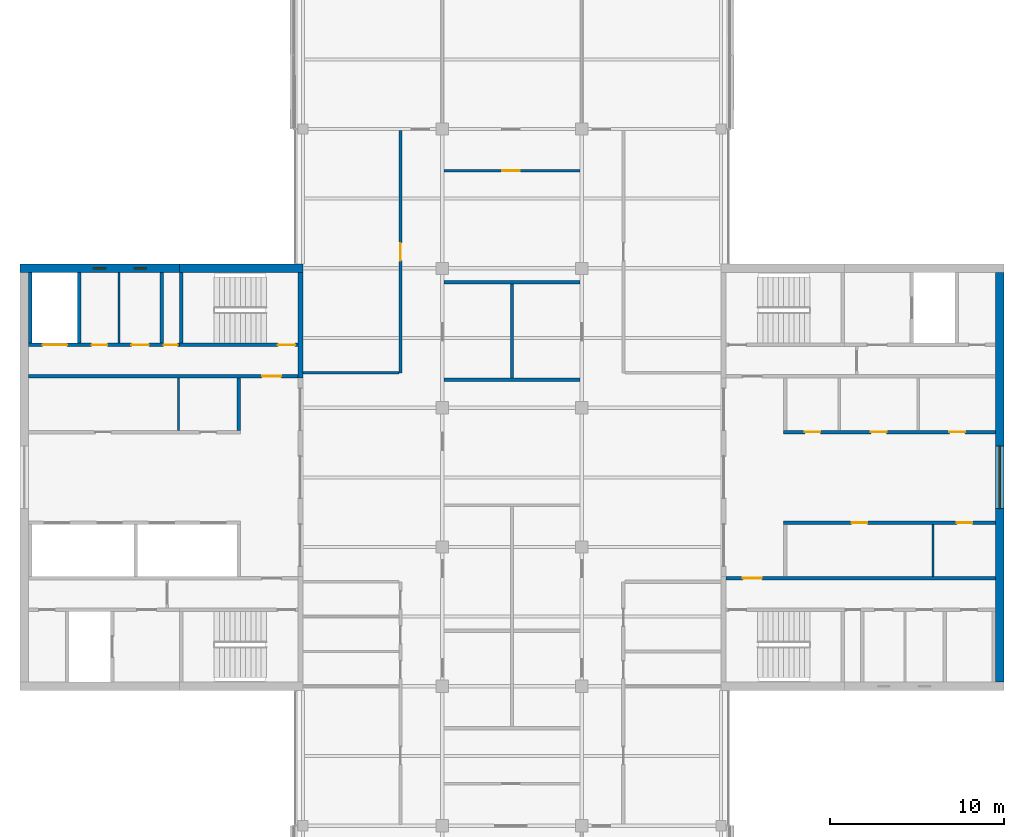
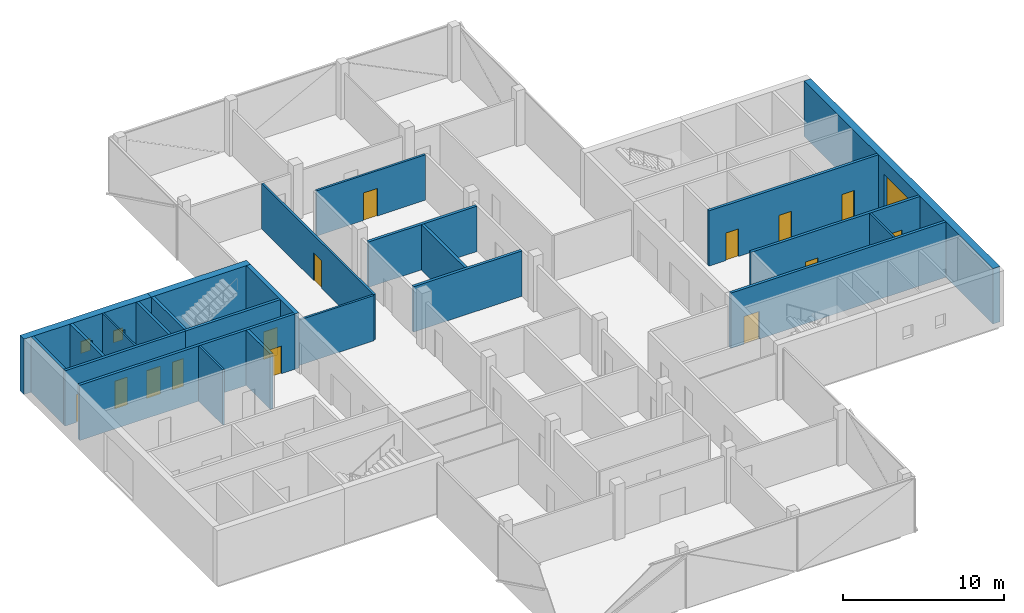
# One storey, part 11 of 16: 24 walls, 14 doors, 3 windows, 17 openings.
"""IFC4 building model written with IfcOpenShell, lengths in metres."""

from ifc_helpers import new_model, si_unit, direction, frame, frame_2d, origin, place, context, subcontext, project, spatial, rectangle, extrude, material, layer, layer_set, constituent, constituent_set, type_object, element, fill, save


model = new_model("IFC4")

# Units and contexts
model_context = context("Model", 3, precision=1e-05, world=origin(), true_north=direction((0.0, 1.0)))
body_context = subcontext(model_context, "Body", "Model", "MODEL_VIEW")
ifc_project = project(units=[si_unit("LENGTHUNIT", "METRE"), si_unit("AREAUNIT", "SQUARE_METRE"), si_unit("VOLUMEUNIT", "CUBIC_METRE"), si_unit("PLANEANGLEUNIT", "RADIAN"), si_unit("MASSUNIT", "GRAM", prefix="KILO")], contexts=[model_context])

# Site, building, storey
site_placement = place(None, origin())
site = spatial("IfcSite", under=ifc_project, at=site_placement, CompositionType="ELEMENT")
building_placement = place(site_placement, origin())
building = spatial("IfcBuilding", under=site, at=building_placement, Name="Crosswind Convention Tower", CompositionType="ELEMENT")
storey_placement = place(building_placement, frame((0.0, 0.0, 291.300048828125)))
storey = spatial("IfcBuildingStorey", under=building, at=storey_placement, Name="L63", CompositionType="ELEMENT", Elevation=291.300048828125)

# Walls
ifc_material_1 = material(Name="Concrete blockwork", Category="masonry")
ifc_layer_1 = layer(ifc_material_1, 0.199951171875)
ifc_layer_set_1 = layer_set([ifc_layer_1], Name="Blockwork partition wall 200")
wall_type_1 = type_object("IfcWallType", Name="Blockwork partition wall 200", PredefinedType="PARTITIONING", material=ifc_layer_set_1)
wall_1_placement = place(storey_placement, frame((104.89990234375, 111.75, 0.0), z_axis=(0.0, 0.0, 1.0), x_axis=(0.0, -1.0, 0.0)))
element("IfcWall", 1, at=wall_1_placement, inside=storey, type_object=wall_type_1, Name="Wall MRSE W L63", PredefinedType="PARTITIONING", context=body_context, shape_type="SweptSolid", body=[
    extrude(rectangle(XDim=4.050048828125, YDim=0.199951171875, at=frame_2d((2.02490234375, 0.0))), origin(), (0.0, 0.0, 1.0), 4.199951171875),
])
ifc_layer_2 = layer(ifc_material_1, 0.199951171875)
ifc_layer_set_2 = layer_set([ifc_layer_2], Name="COMPARTMENT WALL 200 BLOCKWORK")
wall_type_2 = type_object("IfcWallType", Name="COMPARTMENT WALL 200 BLOCKWORK", PredefinedType="SOLIDWALL", material=ifc_layer_set_2)
wall_2_placement = place(storey_placement, frame((125.0, 105.699951171875, 0.0), z_axis=(0.0, 0.0, 1.0), x_axis=(0.0, 1.0, 0.0)))
element("IfcWall", 2, at=wall_2_placement, inside=storey, type_object=wall_type_2, Name="Compartment wall WT42", PredefinedType="SOLIDWALL", context=body_context, shape_type="SweptSolid", body=[
    extrude(rectangle(XDim=5.400146484375, YDim=0.199951171875, at=frame_2d((2.7001953125, 0.0))), origin(), (0.0, 0.0, 1.0), 3.44287109375),
])
for number, where, z_axis, x_axis, name in (
    (3, (121.10009765625, 105.60009765625, 0.0), (0.0, 0.0, 1.0), (1.0, 0.0, 0.0), "Compartment wall WT42"),
    (4, (121.10009765625, 111.199951171875, 0.0), (0.0, 0.0, 1.0), (1.0, 0.0, 0.0), "Compartment wall WT42"),
):
    element("IfcWall", number, at=place(storey_placement, frame(where, z_axis=z_axis, x_axis=x_axis)), inside=storey, type_object=wall_type_2, Name=name, PredefinedType="SOLIDWALL", context=body_context, shape_type="SweptSolid", body=[
        extrude(rectangle(XDim=7.7998046875, YDim=0.199951171875, at=frame_2d((3.89990234375, 0.0))), origin(), (0.0, 0.0, 1.0), 3.44287109375),
    ])
ifc_material_2 = material(Name="Concrete C50/60", Category="concrete")
ifc_layer_3 = layer(ifc_material_2, 0.300048828125)
ifc_layer_set_3 = layer_set([ifc_layer_3], Name="Concrete C50/60")
wall_type_3 = type_object("IfcWallType", Name="Concrete inner core wall 300", PredefinedType="SHEAR", material=ifc_layer_set_3)
wall_3_placement = place(storey_placement, frame((112.85009765625, 111.75, 0.0), z_axis=(0.0, 0.0, 1.0), x_axis=(0.0, -1.0, 0.0)))
element("IfcWall", 5, at=wall_3_placement, inside=storey, type_object=wall_type_3, Name="Wall EM W L63", PredefinedType="SHEAR", context=body_context, shape_type="SweptSolid", body=[
    extrude(rectangle(XDim=6.050048828125, YDim=0.300048828125, at=frame_2d((3.02490234375, 0.0))), origin(), (0.0, 0.0, 1.0), 4.199951171875),
])

# Wall, openings, doors
ifc_layer_4 = layer(ifc_material_2, 0.199951171875)
ifc_layer_set_4 = layer_set([ifc_layer_4], Name="Concrete C50/60")
wall_type_4 = type_object("IfcWallType", Name="Concrete shaft and stair wall 200", PredefinedType="SHEAR", material=ifc_layer_set_4)
wall_4_placement = place(storey_placement, frame((140.60009765625, 102.60009765625, 0.0), z_axis=(0.0, 0.0, 1.0), x_axis=(1.0, 0.0, 0.0)))
wall_4 = element("IfcWall", 6, at=wall_4_placement, inside=storey, type_object=wall_type_4, Name="Wall RPFRONT E L63", PredefinedType="SHEAR", context=body_context, shape_type="SweptSolid", body=[
    extrude(rectangle(XDim=12.14990234375, YDim=0.199951171875, at=frame_2d((6.074951171875, 0.0))), origin(), (0.0, 0.0, 1.0), 4.199951171875),
])
opening_1_placement = place(wall_4_placement, frame((1.21240234375, 0.0, 0.0)))
opening_1 = element("IfcOpeningElement", 7, at=opening_1_placement, cuts=wall_4, Name="Opening D106", PredefinedType="OPENING", context=body_context, shape_type="SweptSolid", body=[
    extrude(rectangle(XDim=0.89990234375, YDim=2.10009765625, at=frame_2d((0.449951171875, 1.050048828125))), frame((0.0, 0.10986328125, 0.0), z_axis=(0.0, -1.0, 0.0), x_axis=(1.0, 0.0, 0.0)), (0.0, 0.0, 1.0), 0.219970703125),
])
opening_2_placement = place(wall_4_placement, frame((5.008056640625, 0.0, 0.0)))
opening_2 = element("IfcOpeningElement", 8, at=opening_2_placement, cuts=wall_4, Name="Opening D106", PredefinedType="OPENING", context=body_context, shape_type="SweptSolid", body=[
    extrude(rectangle(XDim=0.89990234375, YDim=2.10009765625, at=frame_2d((0.449951171875, 1.050048828125))), frame((0.0, 0.10986328125, 0.0), z_axis=(0.0, -1.0, 0.0), x_axis=(1.0, 0.0, 0.0)), (0.0, 0.0, 1.0), 0.219970703125),
])
opening_3_placement = place(wall_4_placement, frame((9.5205078125, 0.0, 0.0)))
opening_3 = element("IfcOpeningElement", 9, at=opening_3_placement, cuts=wall_4, Name="Opening D106", PredefinedType="OPENING", context=body_context, shape_type="SweptSolid", body=[
    extrude(rectangle(XDim=0.89990234375, YDim=2.10009765625, at=frame_2d((0.449951171875, 1.050048828125))), frame((0.0, 0.10986328125, 0.0), z_axis=(0.0, -1.0, 0.0), x_axis=(1.0, 0.0, 0.0)), (0.0, 0.0, 1.0), 0.219970703125),
])
ifc_material_3 = material(Name="Timber door", Category="wood")
door_type_1 = type_object("IfcDoorType", Name="Single leaf door 900x2100", OperationType="NOTDEFINED", PredefinedType="DOOR", material=ifc_material_3)
door_1_placement = place(opening_1_placement, origin())
door_1 = element("IfcDoor", 10, at=door_1_placement, inside=storey, type_object=door_type_1, Name="Door to meeting room L63", ObjectType="D106", OperationType="SINGLE_SWING_RIGHT", OverallHeight=2.10009765625, OverallWidth=0.89990234375, PredefinedType="DOOR", context=body_context, shape_type="SweptSolid", body=[
    extrude(rectangle(XDim=0.89990234375, YDim=2.10009765625, at=frame_2d((0.449951171875, 1.050048828125))), frame((0.0, 0.02490234375, 0.0), z_axis=(0.0, -1.0, 0.0), x_axis=(1.0, 0.0, 0.0)), (0.0, 0.0, 1.0), 0.050048828125),
])
fill(opening_1, door_1)
door_2_placement = place(opening_2_placement, origin())
door_2 = element("IfcDoor", 11, at=door_2_placement, inside=storey, type_object=door_type_1, Name="Door to pantry L63", ObjectType="D106", OperationType="SINGLE_SWING_RIGHT", OverallHeight=2.10009765625, OverallWidth=0.89990234375, PredefinedType="DOOR", context=body_context, shape_type="SweptSolid", body=[
    extrude(rectangle(XDim=0.89990234375, YDim=2.10009765625, at=frame_2d((0.449951171875, 1.050048828125))), frame((0.0, 0.02490234375, 0.0), z_axis=(0.0, -1.0, 0.0), x_axis=(1.0, 0.0, 0.0)), (0.0, 0.0, 1.0), 0.050048828125),
])
fill(opening_2, door_2)
door_3_placement = place(opening_3_placement, origin())
door_3 = element("IfcDoor", 12, at=door_3_placement, inside=storey, type_object=door_type_1, Name="Door to telecoms room L63", ObjectType="D106", OperationType="SINGLE_SWING_RIGHT", OverallHeight=2.10009765625, OverallWidth=0.89990234375, PredefinedType="DOOR", context=body_context, shape_type="SweptSolid", body=[
    extrude(rectangle(XDim=0.89990234375, YDim=2.10009765625, at=frame_2d((0.449951171875, 1.050048828125))), frame((0.0, 0.02490234375, 0.0), z_axis=(0.0, -1.0, 0.0), x_axis=(1.0, 0.0, 0.0)), (0.0, 0.0, 1.0), 0.050048828125),
])
fill(opening_3, door_3)

wall_5_placement = place(storey_placement, frame((140.60009765625, 97.39990234375, 0.0), z_axis=(0.0, 0.0, 1.0), x_axis=(1.0, 0.0, 0.0)))
wall_5 = element("IfcWall", 13, at=wall_5_placement, inside=storey, type_object=wall_type_4, Name="Wall RMFRONT E L63", PredefinedType="SHEAR", context=body_context, shape_type="SweptSolid", body=[
    extrude(rectangle(XDim=12.14990234375, YDim=0.199951171875, at=frame_2d((6.074951171875, 0.0))), origin(), (0.0, 0.0, 1.0), 4.199951171875),
])
opening_4_placement = place(wall_5_placement, frame((3.9013671875, 0.0, 0.0)))
opening_4 = element("IfcOpeningElement", 14, at=opening_4_placement, cuts=wall_5, Name="Opening D106", PredefinedType="OPENING", context=body_context, shape_type="SweptSolid", body=[
    extrude(rectangle(XDim=0.89990234375, YDim=2.10009765625, at=frame_2d((0.449951171875, 1.050048828125))), frame((0.0, 0.10986328125, 0.0), z_axis=(0.0, -1.0, 0.0), x_axis=(1.0, 0.0, 0.0)), (0.0, 0.0, 1.0), 0.219970703125),
])
opening_5_placement = place(wall_5_placement, frame((9.938720703125, 0.0, 0.0)))
opening_5 = element("IfcOpeningElement", 15, at=opening_5_placement, cuts=wall_5, Name="Opening D106", PredefinedType="OPENING", context=body_context, shape_type="SweptSolid", body=[
    extrude(rectangle(XDim=0.89990234375, YDim=2.10009765625, at=frame_2d((0.449951171875, 1.050048828125))), frame((0.0, 0.10986328125, 0.0), z_axis=(0.0, -1.0, 0.0), x_axis=(1.0, 0.0, 0.0)), (0.0, 0.0, 1.0), 0.219970703125),
])
door_4_placement = place(opening_4_placement, frame((0.89990234375, 0.0, 0.0), z_axis=(0.0, 0.0, 1.0), x_axis=(-1.0, 0.0, 0.0)))
door_4 = element("IfcDoor", 16, at=door_4_placement, inside=storey, type_object=door_type_1, Name="Door to pantry L63", ObjectType="D106", OperationType="SINGLE_SWING_LEFT", OverallHeight=2.10009765625, OverallWidth=0.89990234375, PredefinedType="DOOR", context=body_context, shape_type="SweptSolid", body=[
    extrude(rectangle(XDim=0.89990234375, YDim=2.10009765625, at=frame_2d((0.449951171875, 1.050048828125))), frame((0.0, 0.02490234375, 0.0), z_axis=(0.0, -1.0, 0.0), x_axis=(1.0, 0.0, 0.0)), (0.0, 0.0, 1.0), 0.050048828125),
])
fill(opening_4, door_4)
door_5_placement = place(opening_5_placement, frame((0.89990234375, 0.0, 0.0), z_axis=(0.0, 0.0, 1.0), x_axis=(-1.0, 0.0, 0.0)))
door_5 = element("IfcDoor", 17, at=door_5_placement, inside=storey, type_object=door_type_1, Name="Door to telecoms room L63", ObjectType="D106", OperationType="SINGLE_SWING_LEFT", OverallHeight=2.10009765625, OverallWidth=0.89990234375, PredefinedType="DOOR", context=body_context, shape_type="SweptSolid", body=[
    extrude(rectangle(XDim=0.89990234375, YDim=2.10009765625, at=frame_2d((0.449951171875, 1.050048828125))), frame((0.0, 0.02490234375, 0.0), z_axis=(0.0, -1.0, 0.0), x_axis=(1.0, 0.0, 0.0)), (0.0, 0.0, 1.0), 0.050048828125),
])
fill(opening_5, door_5)

# Wall, opening, door
wall_6_placement = place(storey_placement, frame((137.300048828125, 94.199951171875, 0.0), z_axis=(0.0, 0.0, 1.0), x_axis=(1.0, 0.0, 0.0)))
wall_6 = element("IfcWall", 18, at=wall_6_placement, inside=storey, type_object=wall_type_4, Name="Wall HM E L63", PredefinedType="SHEAR", context=body_context, shape_type="SweptSolid", body=[
    extrude(rectangle(XDim=15.449951171875, YDim=0.199951171875, at=frame_2d((7.72509765625, 0.0))), origin(), (0.0, 0.0, 1.0), 4.199951171875),
])
opening_6_placement = place(wall_6_placement, frame((0.949951171875, 0.0, 0.0)))
opening_6 = element("IfcOpeningElement", 19, at=opening_6_placement, cuts=wall_6, Name="Opening D104", PredefinedType="OPENING", context=body_context, shape_type="SweptSolid", body=[
    extrude(rectangle(XDim=1.10009765625, YDim=2.10009765625, at=frame_2d((0.550048828125, 1.050048828125))), frame((0.0, 0.10986328125, 0.0), z_axis=(0.0, -1.0, 0.0), x_axis=(1.0, 0.0, 0.0)), (0.0, 0.0, 1.0), 0.219970703125),
])
ifc_material_4 = material(Name="Steel fire door", Category="steel")
door_type_2 = type_object("IfcDoorType", Name="Fire-rated single door 1100x2100", OperationType="NOTDEFINED", PredefinedType="DOOR", material=ifc_material_4)
door_6_placement = place(opening_6_placement, origin())
door_6 = element("IfcDoor", 20, at=door_6_placement, inside=storey, type_object=door_type_2, Name="Corridor door L63", ObjectType="D104", OperationType="SINGLE_SWING_LEFT", OverallHeight=2.10009765625, OverallWidth=1.10009765625, PredefinedType="DOOR", context=body_context, shape_type="SweptSolid", body=[
    extrude(rectangle(XDim=1.10009765625, YDim=2.10009765625, at=frame_2d((0.550048828125, 1.050048828125))), frame((0.0, 0.02490234375, 0.0), z_axis=(0.0, -1.0, 0.0), x_axis=(1.0, 0.0, 0.0)), (0.0, 0.0, 1.0), 0.050048828125),
])
fill(opening_6, door_6)

# Wall
wall_7_placement = place(storey_placement, frame((109.300048828125, 105.699951171875, 0.0), z_axis=(0.0, 0.0, 1.0), x_axis=(0.0, -1.0, 0.0)))
element("IfcWall", 21, at=wall_7_placement, inside=storey, type_object=wall_type_4, Name="Wall RMEND W L63", PredefinedType="SHEAR", context=body_context, shape_type="SweptSolid", body=[
    extrude(rectangle(XDim=3.0, YDim=0.199951171875, at=frame_2d((1.5, 0.0))), origin(), (0.0, 0.0, 1.0), 4.199951171875),
])

# Wall, opening, door
wall_8_placement = place(storey_placement, frame((112.699951171875, 105.800048828125, 0.0), z_axis=(0.0, 0.0, 1.0), x_axis=(-1.0, 0.0, 0.0)))
wall_8 = element("IfcWall", 22, at=wall_8_placement, inside=storey, type_object=wall_type_4, Name="Wall HM W L63", PredefinedType="SHEAR", context=body_context, shape_type="SweptSolid", body=[
    extrude(rectangle(XDim=15.449951171875, YDim=0.199951171875, at=frame_2d((7.72509765625, 0.0))), origin(), (0.0, 0.0, 1.0), 4.199951171875),
])
opening_7_placement = place(wall_8_placement, frame((0.949951171875, 0.0, 0.0)))
opening_7 = element("IfcOpeningElement", 23, at=opening_7_placement, cuts=wall_8, Name="Opening D104", PredefinedType="OPENING", context=body_context, shape_type="SweptSolid", body=[
    extrude(rectangle(XDim=1.10009765625, YDim=2.10009765625, at=frame_2d((0.550048828125, 1.050048828125))), frame((0.0, 0.10986328125, 0.0), z_axis=(0.0, -1.0, 0.0), x_axis=(1.0, 0.0, 0.0)), (0.0, 0.0, 1.0), 0.219970703125),
])
door_7_placement = place(opening_7_placement, origin())
door_7 = element("IfcDoor", 24, at=door_7_placement, inside=storey, type_object=door_type_2, Name="Corridor door L63", ObjectType="D104", OperationType="SINGLE_SWING_LEFT", OverallHeight=2.10009765625, OverallWidth=1.10009765625, PredefinedType="DOOR", context=body_context, shape_type="SweptSolid", body=[
    extrude(rectangle(XDim=1.10009765625, YDim=2.10009765625, at=frame_2d((0.550048828125, 1.050048828125))), frame((0.0, 0.02490234375, 0.0), z_axis=(0.0, -1.0, 0.0), x_axis=(1.0, 0.0, 0.0)), (0.0, 0.0, 1.0), 0.050048828125),
])
fill(opening_7, door_7)

# Walls
for number, where, z_axis, x_axis, name in (
    (25, (106.0, 111.75, 0.0), (0.0, 0.0, 1.0), (0.0, -1.0, 0.0), "Wall MSE W L63"),
    (26, (100.14990234375, 111.75, 0.0), (0.0, 0.0, 1.0), (0.0, -1.0, 0.0), "Wall MFSW W L63"),
    (27, (97.35009765625, 111.75, 0.0), (0.0, 0.0, 1.0), (0.0, -1.0, 0.0), "Wall MFSE W L63"),
):
    element("IfcWall", number, at=place(storey_placement, frame(where, z_axis=z_axis, x_axis=x_axis)), inside=storey, type_object=wall_type_4, Name=name, PredefinedType="SHEAR", context=body_context, shape_type="SweptSolid", body=[
        extrude(rectangle(XDim=4.050048828125, YDim=0.199951171875, at=frame_2d((2.02490234375, 0.0))), origin(), (0.0, 0.0, 1.0), 4.199951171875),
    ])

# Wall, opening, door
wall_9_placement = place(storey_placement, frame((112.699951171875, 107.60009765625, 0.0), z_axis=(0.0, 0.0, 1.0), x_axis=(-1.0, 0.0, 0.0)))
wall_9 = element("IfcWall", 28, at=wall_9_placement, inside=storey, type_object=wall_type_4, Name="Wall MCW W L63", PredefinedType="SHEAR", context=body_context, shape_type="SweptSolid", body=[
    extrude(rectangle(XDim=6.800048828125, YDim=0.199951171875, at=frame_2d((3.39990234375, 0.0))), origin(), (0.0, 0.0, 1.0), 4.199951171875),
])
opening_8_placement = place(wall_9_placement, frame((0.14990234375, 0.0, 0.0)))
opening_8 = element("IfcOpeningElement", 29, at=opening_8_placement, cuts=wall_9, Name="Opening D103", PredefinedType="OPENING", context=body_context, shape_type="SweptSolid", body=[
    extrude(rectangle(XDim=1.0, YDim=2.10009765625, at=frame_2d((0.5, 1.050048828125))), frame((0.0, 0.10986328125, 0.0), z_axis=(0.0, -1.0, 0.0), x_axis=(1.0, 0.0, 0.0)), (0.0, 0.0, 1.0), 0.219970703125),
])
door_type_3 = type_object("IfcDoorType", Name="Fire-rated single door 1000x2100", OperationType="NOTDEFINED", PredefinedType="DOOR", material=ifc_material_4)
door_8_placement = place(opening_8_placement, frame((1.0, 0.0, 0.0), z_axis=(0.0, 0.0, 1.0), x_axis=(-1.0, 0.0, 0.0)))
door_8 = element("IfcDoor", 30, at=door_8_placement, inside=storey, type_object=door_type_3, Name="Stair ST4 door L63", ObjectType="D103", OperationType="SINGLE_SWING_RIGHT", OverallHeight=2.10009765625, OverallWidth=1.0, PredefinedType="DOOR", context=body_context, shape_type="SweptSolid", body=[
    extrude(rectangle(XDim=1.0, YDim=2.10009765625, at=frame_2d((0.5, 1.050048828125))), frame((0.0, 0.02490234375, 0.0), z_axis=(0.0, -1.0, 0.0), x_axis=(1.0, 0.0, 0.0)), (0.0, 0.0, 1.0), 0.050048828125),
])
fill(opening_8, door_8)

# Wall, openings, doors
wall_10_placement = place(storey_placement, frame((105.89990234375, 107.60009765625, 0.0), z_axis=(0.0, 0.0, 1.0), x_axis=(-1.0, 0.0, 0.0)))
wall_10 = element("IfcWall", 31, at=wall_10_placement, inside=storey, type_object=wall_type_4, Name="Wall MCX W L63", PredefinedType="SHEAR", context=body_context, shape_type="SweptSolid", body=[
    extrude(rectangle(XDim=8.64990234375, YDim=0.199951171875, at=frame_2d((4.324951171875, 0.0))), origin(), (0.0, 0.0, 1.0), 4.199951171875),
])
opening_9_placement = place(wall_10_placement, frame((0.10009765625, 0.0, 0.0)))
opening_9 = element("IfcOpeningElement", 32, at=opening_9_placement, cuts=wall_10, Name="Opening D105", PredefinedType="OPENING", context=body_context, shape_type="SweptSolid", body=[
    extrude(rectangle(XDim=0.800048828125, YDim=2.10009765625, at=frame_2d((0.39990234375, 1.050048828125))), frame((0.0, 0.10986328125, 0.0), z_axis=(0.0, -1.0, 0.0), x_axis=(1.0, 0.0, 0.0)), (0.0, 0.0, 1.0), 0.219970703125),
])
opening_10_placement = place(wall_10_placement, frame((1.751708984375, 0.0, 0.0)))
opening_10 = element("IfcOpeningElement", 33, at=opening_10_placement, cuts=wall_10, Name="Opening D103", PredefinedType="OPENING", context=body_context, shape_type="SweptSolid", body=[
    extrude(rectangle(XDim=1.0, YDim=2.10009765625, at=frame_2d((0.5, 1.050048828125))), frame((0.0, 0.10986328125, 0.0), z_axis=(0.0, -1.0, 0.0), x_axis=(1.0, 0.0, 0.0)), (0.0, 0.0, 1.0), 0.219970703125),
])
opening_11_placement = place(wall_10_placement, frame((4.13916015625, 0.0, 0.0)))
opening_11 = element("IfcOpeningElement", 34, at=opening_11_placement, cuts=wall_10, Name="Opening D106", PredefinedType="OPENING", context=body_context, shape_type="SweptSolid", body=[
    extrude(rectangle(XDim=0.89990234375, YDim=2.10009765625, at=frame_2d((0.449951171875, 1.050048828125))), frame((0.0, 0.10986328125, 0.0), z_axis=(0.0, -1.0, 0.0), x_axis=(1.0, 0.0, 0.0)), (0.0, 0.0, 1.0), 0.219970703125),
])
opening_12_placement = place(wall_10_placement, frame((6.449951171875, 0.0, 0.0)))
opening_12 = element("IfcOpeningElement", 35, at=opening_12_placement, cuts=wall_10, Name="Opening LD2", PredefinedType="OPENING", context=body_context, shape_type="SweptSolid", body=[
    extrude(rectangle(XDim=1.39990234375, YDim=2.10009765625, at=frame_2d((0.699951171875, 1.050048828125))), frame((0.0, 0.10986328125, 0.0), z_axis=(0.0, -1.0, 0.0), x_axis=(1.0, 0.0, 0.0)), (0.0, 0.0, 1.0), 0.219970703125),
])
door_9_placement = place(opening_10_placement, frame((1.0, 0.0, 0.0), z_axis=(0.0, 0.0, 1.0), x_axis=(-1.0, 0.0, 0.0)))
door_9 = element("IfcDoor", 36, at=door_9_placement, inside=storey, type_object=door_type_3, Name="Door to accessible wc L63", ObjectType="D103", OperationType="SINGLE_SWING_LEFT", OverallHeight=2.10009765625, OverallWidth=1.0, PredefinedType="DOOR", context=body_context, shape_type="SweptSolid", body=[
    extrude(rectangle(XDim=1.0, YDim=2.10009765625, at=frame_2d((0.5, 1.050048828125))), frame((0.0, 0.02490234375, 0.0), z_axis=(0.0, -1.0, 0.0), x_axis=(1.0, 0.0, 0.0)), (0.0, 0.0, 1.0), 0.050048828125),
])
fill(opening_10, door_9)
ifc_material_5 = material(Name="Stainless steel", Category="steel")
door_type_4 = type_object("IfcDoorType", Name="Lift landing door 1400x2100", OperationType="DOUBLE_DOOR_SLIDING", PredefinedType="DOOR", material=ifc_material_5)
door_10_placement = place(opening_12_placement, origin())
door_10 = element("IfcDoor", 37, at=door_10_placement, inside=storey, type_object=door_type_4, Name="Landing door SV2 L63", ObjectType="LD2", OperationType="DOUBLE_DOOR_SLIDING", OverallHeight=2.10009765625, OverallWidth=1.39990234375, PredefinedType="DOOR", context=body_context, shape_type="SweptSolid", body=[
    extrude(rectangle(XDim=1.39990234375, YDim=2.10009765625, at=frame_2d((0.699951171875, 1.050048828125))), frame((0.0, 0.02490234375, 0.0), z_axis=(0.0, -1.0, 0.0), x_axis=(1.0, 0.0, 0.0)), (0.0, 0.0, 1.0), 0.050048828125),
])
fill(opening_12, door_10)
door_type_5 = type_object("IfcDoorType", Name="Riser access door 800x2100", OperationType="NOTDEFINED", PredefinedType="DOOR", material=ifc_material_4)
door_11_placement = place(opening_9_placement, frame((0.800048828125, 0.0, 0.0), z_axis=(0.0, 0.0, 1.0), x_axis=(-1.0, 0.0, 0.0)))
door_11 = element("IfcDoor", 38, at=door_11_placement, inside=storey, type_object=door_type_5, Name="Riser door L63", ObjectType="D105", OperationType="SINGLE_SWING_LEFT", OverallHeight=2.10009765625, OverallWidth=0.800048828125, PredefinedType="DOOR", context=body_context, shape_type="SweptSolid", body=[
    extrude(rectangle(XDim=0.800048828125, YDim=2.10009765625, at=frame_2d((0.39990234375, 1.050048828125))), frame((0.0, 0.02490234375, 0.0), z_axis=(0.0, -1.0, 0.0), x_axis=(1.0, 0.0, 0.0)), (0.0, 0.0, 1.0), 0.050048828125),
])
fill(opening_9, door_11)
door_12_placement = place(opening_11_placement, frame((0.89990234375, 0.0, 0.0), z_axis=(0.0, 0.0, 1.0), x_axis=(-1.0, 0.0, 0.0)))
door_12 = element("IfcDoor", 39, at=door_12_placement, inside=storey, type_object=door_type_1, Name="Door to wc L63", ObjectType="D106", OperationType="SINGLE_SWING_LEFT", OverallHeight=2.10009765625, OverallWidth=0.89990234375, PredefinedType="DOOR", context=body_context, shape_type="SweptSolid", body=[
    extrude(rectangle(XDim=0.89990234375, YDim=2.10009765625, at=frame_2d((0.449951171875, 1.050048828125))), frame((0.0, 0.02490234375, 0.0), z_axis=(0.0, -1.0, 0.0), x_axis=(1.0, 0.0, 0.0)), (0.0, 0.0, 1.0), 0.050048828125),
])
fill(opening_11, door_12)

# Walls
ifc_material_6 = material(Name="Gypsum plasterboard partition", Category="gypsum")
ifc_layer_5 = layer(ifc_material_6, 0.125)
ifc_layer_set_5 = layer_set([ifc_layer_5], Name="Drywall partition wall 125")
wall_type_5 = type_object("IfcWallType", Name="Drywall partition wall 125", PredefinedType="PARTITIONING", material=ifc_layer_set_5)
for number, where, z_axis, x_axis, name in (
    (40, (149.1650390625, 94.300048828125, 0.0), (0.0, 0.0, 1.0), (0.0, 1.0, 0.0), "Wall RMP1 E L63"),
    (41, (105.85400390625, 105.699951171875, 0.0), (0.0, 0.0, 1.0), (0.0, -1.0, 0.0), "Wall RMP1 W L63"),
):
    element("IfcWall", number, at=place(storey_placement, frame(where, z_axis=z_axis, x_axis=x_axis)), inside=storey, type_object=wall_type_5, Name=name, PredefinedType="PARTITIONING", context=body_context, shape_type="SweptSolid", body=[
        extrude(rectangle(XDim=3.0, YDim=0.125, at=frame_2d((1.5, 0.0))), origin(), (0.0, 0.0, 1.0), 4.199951171875),
    ])
wall_11_placement = place(storey_placement, frame((102.43408203125, 111.75, 0.0), z_axis=(0.0, 0.0, 1.0), x_axis=(0.0, -1.0, 0.0)))
element("IfcWall", 42, at=wall_11_placement, inside=storey, type_object=wall_type_5, Name="Wall MWP1 W L63", PredefinedType="PARTITIONING", context=body_context, shape_type="SweptSolid", body=[
    extrude(rectangle(XDim=4.050048828125, YDim=0.125, at=frame_2d((2.02490234375, 0.0))), origin(), (0.0, 0.0, 1.0), 4.199951171875),
])

# Wall, opening, door
ifc_material_7 = material(Name="Fire-board partition with mineral wool", Category="gypsum")
ifc_layer_6 = layer(ifc_material_7, 0.14990234375)
ifc_layer_set_6 = layer_set([ifc_layer_6], Name="TENANCY WALL 150 TWO-HOUR BOARD")
wall_type_6 = type_object("IfcWallType", Name="TENANCY WALL 150 TWO-HOUR BOARD", PredefinedType="PARTITIONING", material=ifc_layer_set_6)
wall_12_placement = place(storey_placement, frame((118.60009765625, 106.0, 0.0), z_axis=(0.0, 0.0, 1.0), x_axis=(0.0, 1.0, 0.0)))
wall_12 = element("IfcWall", 43, at=wall_12_placement, inside=storey, type_object=wall_type_6, Name="Tenancy wall WT41", PredefinedType="PARTITIONING", context=body_context, shape_type="SweptSolid", body=[
    extrude(rectangle(XDim=13.925048828125, YDim=0.14990234375, at=frame_2d((6.96240234375, 0.0))), origin(), (0.0, 0.0, 1.0), 3.44287109375),
])
opening_13_placement = place(wall_12_placement, frame((6.449951171875, 0.0, 0.0)))
opening_13 = element("IfcOpeningElement", 44, at=opening_13_placement, cuts=wall_12, Name="Opening L63-54", PredefinedType="OPENING", context=body_context, shape_type="SweptSolid", body=[
    extrude(rectangle(XDim=1.0, YDim=2.10009765625, at=frame_2d((0.5, 1.050048828125))), frame((0.0, 0.0849609375, 0.0), z_axis=(0.0, -1.0, 0.0), x_axis=(1.0, 0.0, 0.0)), (0.0, 0.0, 1.0), 0.169921875),
])
ifc_material_8 = material(Name="Timber fire door", Category="wood")
door_type_6 = type_object("IfcDoorType", Name="TENANCY ENTRANCE DOOR 1000X2100 FD30S", OperationType="NOTDEFINED", PredefinedType="DOOR", material=ifc_material_8)
door_13_placement = place(opening_13_placement, origin())
door_13 = element("IfcDoor", 45, at=door_13_placement, inside=storey, type_object=door_type_6, Name="Door L63-54", ObjectType="D41", OperationType="SINGLE_SWING_RIGHT", OverallHeight=2.10009765625, OverallWidth=1.0, PredefinedType="DOOR", context=body_context, shape_type="SweptSolid", body=[
    extrude(rectangle(XDim=1.0, YDim=2.10009765625, at=frame_2d((0.5, 1.050048828125))), frame((0.0, 0.02490234375, 0.0), z_axis=(0.0, -1.0, 0.0), x_axis=(1.0, 0.0, 0.0)), (0.0, 0.0, 1.0), 0.050048828125),
])
fill(opening_13, door_13)

# Wall
wall_13_placement = place(storey_placement, frame((113.0, 106.0, 0.0), z_axis=(0.0, 0.0, 1.0), x_axis=(1.0, 0.0, 0.0)))
element("IfcWall", 46, at=wall_13_placement, inside=storey, type_object=wall_type_6, Name="Tenancy wall WT41", PredefinedType="PARTITIONING", context=body_context, shape_type="SweptSolid", body=[
    extrude(rectangle(XDim=5.52490234375, YDim=0.14990234375, at=frame_2d((2.762451171875, 0.0))), origin(), (0.0, 0.0, 1.0), 3.44287109375),
])

# Wall, opening, door
wall_14_placement = place(storey_placement, frame((121.10009765625, 117.60009765625, 0.0), z_axis=(0.0, 0.0, 1.0), x_axis=(1.0, 0.0, 0.0)))
wall_14 = element("IfcWall", 47, at=wall_14_placement, inside=storey, type_object=wall_type_6, Name="Tenancy wall WT41", PredefinedType="PARTITIONING", context=body_context, shape_type="SweptSolid", body=[
    extrude(rectangle(XDim=7.7998046875, YDim=0.14990234375, at=frame_2d((3.89990234375, 0.0))), origin(), (0.0, 0.0, 1.0), 3.44287109375),
])
opening_14_placement = place(wall_14_placement, frame((3.35009765625, 0.0, 0.0)))
opening_14 = element("IfcOpeningElement", 48, at=opening_14_placement, cuts=wall_14, Name="Opening L63-72", PredefinedType="OPENING", context=body_context, shape_type="SweptSolid", body=[
    extrude(rectangle(XDim=1.0, YDim=2.10009765625, at=frame_2d((0.5, 1.050048828125))), frame((0.0, 0.0849609375, 0.0), z_axis=(0.0, -1.0, 0.0), x_axis=(1.0, 0.0, 0.0)), (0.0, 0.0, 1.0), 0.169921875),
])
door_14_placement = place(opening_14_placement, frame((1.0, 0.0, 0.0), z_axis=(0.0, 0.0, 1.0), x_axis=(-1.0, 0.0, 0.0)))
door_14 = element("IfcDoor", 49, at=door_14_placement, inside=storey, type_object=door_type_6, Name="Door L63-72", ObjectType="D41", OperationType="SINGLE_SWING_RIGHT", OverallHeight=2.10009765625, OverallWidth=1.0, PredefinedType="DOOR", context=body_context, shape_type="SweptSolid", body=[
    extrude(rectangle(XDim=1.0, YDim=2.10009765625, at=frame_2d((0.5, 1.050048828125))), frame((0.0, 0.02490234375, 0.0), z_axis=(0.0, -1.0, 0.0), x_axis=(1.0, 0.0, 0.0)), (0.0, 0.0, 1.0), 0.050048828125),
])
fill(opening_14, door_14)

# Wall, opening, window
ifc_material_9 = material(Name="Concrete C60/75", Category="concrete")
ifc_constituent_1 = constituent(ifc_material_9, Name="Structure")
ifc_material_10 = material(Name="Terracotta rainscreen", Category="ceramic")
ifc_constituent_2 = constituent(ifc_material_10, Name="Facing")
ifc_constituent_set = constituent_set(constituents=[ifc_constituent_1, ifc_constituent_2], Name="Concrete C60/75, Terracotta rainscreen")
wall_type_7 = type_object("IfcWallType", Name="Terracotta rainscreen on concrete core wall 500", PredefinedType="SHEAR", material=ifc_constituent_set)
wall_15_placement = place(storey_placement, frame((153.0, 88.25, 0.0), z_axis=(0.0, 0.0, 1.0), x_axis=(0.0, 1.0, 0.0)))
wall_15 = element("IfcWall", 50, at=wall_15_placement, inside=storey, type_object=wall_type_7, Name="Wall O E L63", PredefinedType="SHEAR", context=body_context, shape_type="SweptSolid", body=[
    extrude(rectangle(XDim=23.5, YDim=0.5, at=frame_2d((11.75, 0.0))), origin(), (0.0, 0.0, 1.0), 4.199951171875),
])
opening_15_placement = place(wall_15_placement, frame((9.949951171875, 0.0, 0.14990234375)))
opening_15 = element("IfcOpeningElement", 51, at=opening_15_placement, cuts=wall_15, Name="Opening W1", PredefinedType="OPENING", context=body_context, shape_type="SweptSolid", body=[
    extrude(rectangle(XDim=3.60009765625, YDim=3.0, at=frame_2d((1.800048828125, 1.5))), frame((0.0, 0.260009765625, 0.0), z_axis=(0.0, -1.0, 0.0), x_axis=(1.0, 0.0, 0.0)), (0.0, 0.0, 1.0), 0.52001953125),
])
ifc_material_11 = material(Name="Clear laminated glass in aluminium frame", Category="aluminium")
window_type_1 = type_object("IfcWindowType", Name="Lobby end window 3600x3000", PartitioningType="SINGLE_PANEL", PredefinedType="WINDOW", material=ifc_material_11)
window_1_placement = place(opening_15_placement, origin())
window_1 = element("IfcWindow", 52, at=window_1_placement, inside=storey, type_object=window_type_1, Name="Lobby end window L63", ObjectType="W1", OverallHeight=3.0, OverallWidth=3.60009765625, PartitioningType="SINGLE_PANEL", PredefinedType="WINDOW", context=body_context, shape_type="SweptSolid", body=[
    extrude(rectangle(XDim=3.60009765625, YDim=3.0, at=frame_2d((1.800048828125, 1.5))), frame((0.0, 0.030029296875, 0.0), z_axis=(0.0, -1.0, 0.0), x_axis=(1.0, 0.0, 0.0)), (0.0, 0.0, 1.0), 0.06005859375),
])
fill(opening_15, window_1)

# Wall
wall_16_placement = place(storey_placement, frame((113.0, 112.0, 0.0), z_axis=(0.0, 0.0, 1.0), x_axis=(-1.0, 0.0, 0.0)))
element("IfcWall", 53, at=wall_16_placement, inside=storey, type_object=wall_type_7, Name="Wall S1 W L63", PredefinedType="SHEAR", context=body_context, shape_type="SweptSolid", body=[
    extrude(rectangle(XDim=7.10009765625, YDim=0.5, at=frame_2d((3.550048828125, 0.0))), origin(), (0.0, 0.0, 1.0), 4.199951171875),
])

# Wall, openings, windows
wall_17_placement = place(storey_placement, frame((105.89990234375, 112.0, 0.0), z_axis=(0.0, 0.0, 1.0), x_axis=(-1.0, 0.0, 0.0)))
wall_17 = element("IfcWall", 54, at=wall_17_placement, inside=storey, type_object=wall_type_7, Name="Wall S2 W L63", PredefinedType="SHEAR", context=body_context, shape_type="SweptSolid", body=[
    extrude(rectangle(XDim=9.14990234375, YDim=0.5, at=frame_2d((4.574951171875, 0.0))), origin(), (0.0, 0.0, 1.0), 4.199951171875),
])
opening_16_placement = place(wall_17_placement, frame((1.90185546875, 0.0, 1.5)))
opening_16 = element("IfcOpeningElement", 55, at=opening_16_placement, cuts=wall_17, Name="Opening W2", PredefinedType="OPENING", context=body_context, shape_type="SweptSolid", body=[
    extrude(rectangle(XDim=0.699951171875, YDim=0.89990234375, at=frame_2d((0.35009765625, 0.449951171875))), frame((0.0, 0.260009765625, 0.0), z_axis=(0.0, -1.0, 0.0), x_axis=(1.0, 0.0, 0.0)), (0.0, 0.0, 1.0), 0.52001953125),
])
opening_17_placement = place(wall_17_placement, frame((4.2392578125, 0.0, 1.5)))
opening_17 = element("IfcOpeningElement", 56, at=opening_17_placement, cuts=wall_17, Name="Opening W2", PredefinedType="OPENING", context=body_context, shape_type="SweptSolid", body=[
    extrude(rectangle(XDim=0.699951171875, YDim=0.89990234375, at=frame_2d((0.35009765625, 0.449951171875))), frame((0.0, 0.260009765625, 0.0), z_axis=(0.0, -1.0, 0.0), x_axis=(1.0, 0.0, 0.0)), (0.0, 0.0, 1.0), 0.52001953125),
])
ifc_material_12 = material(Name="Obscure glass in aluminium frame", Category="aluminium")
window_type_2 = type_object("IfcWindowType", Name="WC window 700x900", PartitioningType="SINGLE_PANEL", PredefinedType="WINDOW", material=ifc_material_12)
window_2_placement = place(opening_16_placement, origin())
window_2 = element("IfcWindow", 57, at=window_2_placement, inside=storey, type_object=window_type_2, Name="WC window L63", ObjectType="W2", OverallHeight=0.89990234375, OverallWidth=0.699951171875, PartitioningType="SINGLE_PANEL", PredefinedType="WINDOW", context=body_context, shape_type="SweptSolid", body=[
    extrude(rectangle(XDim=0.699951171875, YDim=0.89990234375, at=frame_2d((0.35009765625, 0.449951171875))), frame((0.0, 0.030029296875, 0.0), z_axis=(0.0, -1.0, 0.0), x_axis=(1.0, 0.0, 0.0)), (0.0, 0.0, 1.0), 0.06005859375),
])
fill(opening_16, window_2)
window_3_placement = place(opening_17_placement, origin())
window_3 = element("IfcWindow", 58, at=window_3_placement, inside=storey, type_object=window_type_2, Name="WC window L63", ObjectType="W2", OverallHeight=0.89990234375, OverallWidth=0.699951171875, PartitioningType="SINGLE_PANEL", PredefinedType="WINDOW", context=body_context, shape_type="SweptSolid", body=[
    extrude(rectangle(XDim=0.699951171875, YDim=0.89990234375, at=frame_2d((0.35009765625, 0.449951171875))), frame((0.0, 0.030029296875, 0.0), z_axis=(0.0, -1.0, 0.0), x_axis=(1.0, 0.0, 0.0)), (0.0, 0.0, 1.0), 0.06005859375),
])
fill(opening_17, window_3)

save(model, "model.ifc")
